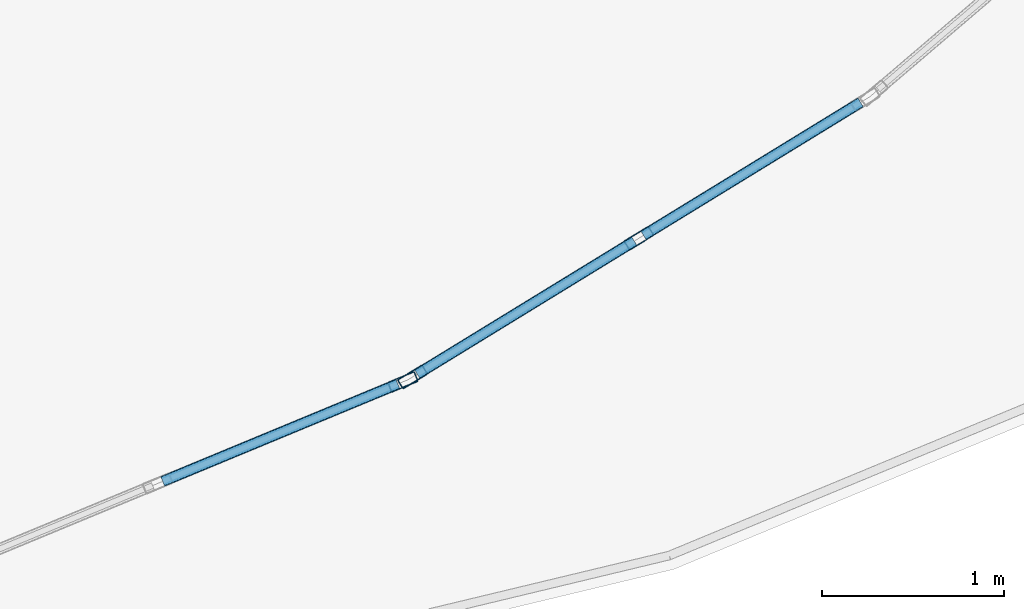
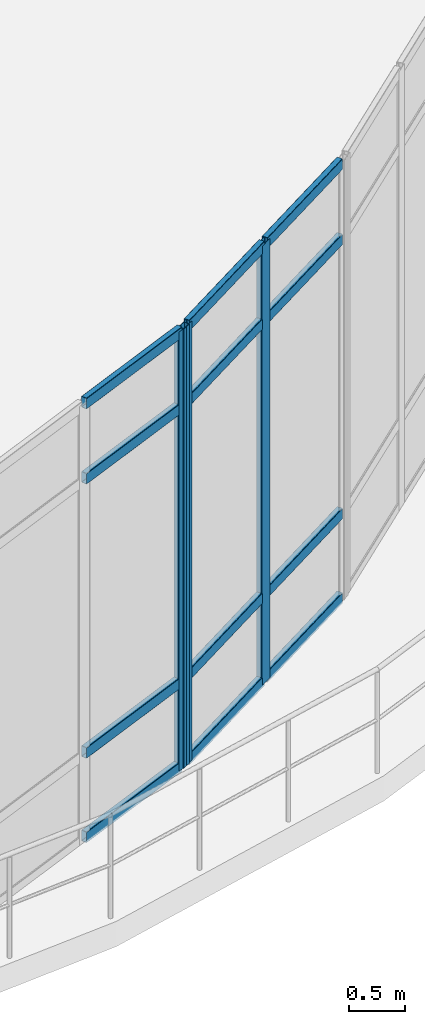
# One storey, part 60 of 120: 15 members, 2 elements without a shape of their own.
"""IFC4 building model written with IfcOpenShell, lengths in metres."""

from ifc_helpers import new_model, si_unit, derived_unit, direction, frame, origin, origin_2d, place, context, subcontext, project, spatial, hollow_rectangle, extrude, material, layer, layer_set, material_profile, profile_set, type_object, element, aggregate, save


model = new_model("IFC4")

# Units and contexts
model_context = context("Model", 3, precision=1e-05, world=origin(), true_north=direction((0.0, 1.0)))
body_context = subcontext(model_context, "Body", "Model", "MODEL_VIEW")
ifc_project = project(units=[si_unit("LENGTHUNIT", "METRE"), si_unit("AREAUNIT", "SQUARE_METRE"), si_unit("VOLUMEUNIT", "CUBIC_METRE"), si_unit("PLANEANGLEUNIT", "RADIAN"), si_unit("MASSUNIT", "GRAM", prefix="KILO"), derived_unit("THERMALTRANSMITTANCEUNIT", [(si_unit("MASSUNIT", "GRAM", prefix="KILO"), 1), (si_unit("TIMEUNIT", "SECOND"), -3), (si_unit("THERMODYNAMICTEMPERATUREUNIT", "KELVIN"), -1)])], contexts=[model_context])

# Site, building, storey
site_placement = place(None, origin())
site = spatial("IfcSite", under=ifc_project, at=site_placement, CompositionType="ELEMENT")
building_placement = place(site_placement, origin())
building = spatial("IfcBuilding", under=site, at=building_placement, Name="Qinzheling Arcade Emporium", CompositionType="ELEMENT")
storey_placement = place(building_placement, frame((0.0, 0.0, 11.39990234375)))
storey = spatial("IfcBuildingStorey", under=building, at=storey_placement, Name="L03", CompositionType="ELEMENT", Elevation=11.39990234375)

# Curtain wall, members
ifc_material_1 = material(Name="Anodised aluminium and solar-control double glazing", Category="aluminium")
ifc_layer = layer(ifc_material_1, 0.159912109375, Name="Anodised aluminium and solar-control double glazing", Category="aluminium")
ifc_layer_set = layer_set([ifc_layer], Name="Anodised aluminium and solar-control double glazing")
curtain_wall_type = type_object("IfcCurtainWallType", Name="Curved Ribbon Sales Curtain Wall", PredefinedType="NOTDEFINED", material=ifc_layer_set)
curtain_wall_1_placement = place(storey_placement, origin())
curtain_wall_1 = element("IfcCurtainWall", 1, at=curtain_wall_1_placement, inside=storey, type_object=curtain_wall_type, Name="Curtain Wall CW-L03-134", PredefinedType="NOTDEFINED")
ifc_material_2 = material(Name="Anodised aluminium 6063-T6", Category="aluminium")
ifc_material_profile_1 = material_profile(ifc_material_2, hollow_rectangle(XDim=0.06005859375, YDim=0.159912109375, WallThickness=0.00390625, InnerFilletRadius=0.00390625, OuterFilletRadius=0.008056640625, at=origin_2d()), Name="RHS 160x60x4", Category="aluminium")
ifc_profile_set_1 = profile_set([ifc_material_profile_1], Name="Anodised aluminium 6063-T6")
member_type_1 = type_object("IfcMemberType", Name="Curtain Wall Mullion RHS160x60", PredefinedType="MULLION", material=ifc_profile_set_1)
member_1_placement = place(storey_placement, frame((159.297119140625, 2.85009765625, 0.0), z_axis=(0.0, 0.0, 1.0), x_axis=(0.522562057926, -0.852601252413, 0.0)))
member_1 = element("IfcMember", 2, at=member_1_placement, type_object=member_type_1, Name="CW02 mullion 2", PredefinedType="MULLION", context=body_context, shape_type="SweptSolid", body=[
    extrude(hollow_rectangle(XDim=0.06005859375, YDim=0.159912109375, WallThickness=0.00390625, InnerFilletRadius=0.00390625, OuterFilletRadius=0.008056640625, at=origin_2d()), origin(), (0.0, 0.0, 1.0), 4.7900390625),
])
member_2_placement = place(storey_placement, frame((158.051513671875, 2.086669921875, 0.0), z_axis=(0.0, 0.0, 1.0), x_axis=(0.522562057926, -0.852601252413, 0.0)))
member_2 = element("IfcMember", 3, at=member_2_placement, type_object=member_type_1, Name="CW02 mullion 3", PredefinedType="MULLION", context=body_context, shape_type="SweptSolid", body=[
    extrude(hollow_rectangle(XDim=0.06005859375, YDim=0.159912109375, WallThickness=0.00390625, InnerFilletRadius=0.00390625, OuterFilletRadius=0.008056640625, at=origin_2d()), origin(), (0.0, 0.0, 1.0), 4.7900390625),
])

# Curtain wall, member
curtain_wall_2_placement = place(storey_placement, origin())
curtain_wall_2 = element("IfcCurtainWall", 4, at=curtain_wall_2_placement, inside=storey, type_object=curtain_wall_type, Name="Curtain Wall CW-L03-135", PredefinedType="NOTDEFINED")
member_3_placement = place(storey_placement, frame((157.998291015625, 2.0595703125, 0.0), z_axis=(0.0, 0.0, 1.0), x_axis=(0.382638101391, -0.923898307913, 0.0)))
member_3 = element("IfcMember", 5, at=member_3_placement, type_object=member_type_1, Name="CW02 mullion 1", PredefinedType="MULLION", context=body_context, shape_type="SweptSolid", body=[
    extrude(hollow_rectangle(XDim=0.06005859375, YDim=0.159912109375, WallThickness=0.00390625, InnerFilletRadius=0.00390625, OuterFilletRadius=0.008056640625, at=origin_2d()), origin(), (0.0, 0.0, 1.0), 4.7900390625),
])

# Member
ifc_material_profile_2 = material_profile(ifc_material_2, hollow_rectangle(XDim=0.06005859375, YDim=0.1201171875, WallThickness=0.00390625, InnerFilletRadius=0.00390625, OuterFilletRadius=0.008056640625, at=origin_2d()), Name="RHS 120x60x4", Category="aluminium")
ifc_profile_set_2 = profile_set([ifc_material_profile_2], Name="Anodised aluminium 6063-T6")
member_type_2 = type_object("IfcMemberType", Name="Curtain Wall Transom RHS120x60", PredefinedType="USERDEFINED", material=ifc_profile_set_2)
member_4_placement = place(storey_placement, frame((160.516845703125, 3.59765625, 0.030029296875), z_axis=(-0.852626300664, -0.522521187529, 0.0), x_axis=(0.522521187529, -0.852626300664, 0.0)))
member_4 = element("IfcMember", 6, at=member_4_placement, type_object=member_type_2, Name="CW02 transom 1.1", ObjectType="TRANSOM", PredefinedType="USERDEFINED", context=body_context, shape_type="SweptSolid", body=[
    extrude(hollow_rectangle(XDim=0.06005859375, YDim=0.1201171875, WallThickness=0.00390625, InnerFilletRadius=0.00390625, OuterFilletRadius=0.008056640625, at=origin_2d()), origin(), (0.0, 0.0, 1.0), 1.40087890625),
])

member_5_placement = place(storey_placement, frame((160.516845703125, 3.59765625, 0.9501953125), z_axis=(-0.852626300664, -0.522521187529, 0.0), x_axis=(0.522521187529, -0.852626300664, 0.0)))
member_5 = element("IfcMember", 7, at=member_5_placement, type_object=member_type_2, Name="CW02 transom 1.2", ObjectType="TRANSOM", PredefinedType="USERDEFINED", context=body_context, shape_type="SweptSolid", body=[
    extrude(hollow_rectangle(XDim=0.06005859375, YDim=0.1201171875, WallThickness=0.00390625, InnerFilletRadius=0.00390625, OuterFilletRadius=0.008056640625, at=origin_2d()), origin(), (0.0, 0.0, 1.0), 1.40087890625),
])

member_6_placement = place(storey_placement, frame((160.516845703125, 3.59765625, 3.940185546875), z_axis=(-0.852626300664, -0.522521187529, 0.0), x_axis=(0.522521187529, -0.852626300664, 0.0)))
member_6 = element("IfcMember", 8, at=member_6_placement, type_object=member_type_2, Name="CW02 transom 1.3", ObjectType="TRANSOM", PredefinedType="USERDEFINED", context=body_context, shape_type="SweptSolid", body=[
    extrude(hollow_rectangle(XDim=0.06005859375, YDim=0.1201171875, WallThickness=0.00390625, InnerFilletRadius=0.00390625, OuterFilletRadius=0.008056640625, at=origin_2d()), origin(), (0.0, 0.0, 1.0), 1.40087890625),
])

member_7_placement = place(storey_placement, frame((160.516845703125, 3.59765625, 4.760009765625), z_axis=(-0.852626300664, -0.522521187529, 0.0), x_axis=(0.522521187529, -0.852626300664, 0.0)))
member_7 = element("IfcMember", 9, at=member_7_placement, type_object=member_type_2, Name="CW02 transom 1.4", ObjectType="TRANSOM", PredefinedType="USERDEFINED", context=body_context, shape_type="SweptSolid", body=[
    extrude(hollow_rectangle(XDim=0.06005859375, YDim=0.1201171875, WallThickness=0.00390625, InnerFilletRadius=0.00390625, OuterFilletRadius=0.008056640625, at=origin_2d()), origin(), (0.0, 0.0, 1.0), 1.40087890625),
])

member_8_placement = place(storey_placement, frame((159.271484375, 2.834228515625, 0.030029296875), z_axis=(-0.852626300664, -0.522521187529, 0.0), x_axis=(0.522521187529, -0.852626300664, 0.0)))
member_8 = element("IfcMember", 10, at=member_8_placement, type_object=member_type_2, Name="CW02 transom 2.1", ObjectType="TRANSOM", PredefinedType="USERDEFINED", context=body_context, shape_type="SweptSolid", body=[
    extrude(hollow_rectangle(XDim=0.06005859375, YDim=0.1201171875, WallThickness=0.00390625, InnerFilletRadius=0.00390625, OuterFilletRadius=0.008056640625, at=origin_2d()), origin(), (0.0, 0.0, 1.0), 1.40087890625),
])

member_9_placement = place(storey_placement, frame((159.271484375, 2.834228515625, 0.9501953125), z_axis=(-0.852626300664, -0.522521187529, 0.0), x_axis=(0.522521187529, -0.852626300664, 0.0)))
member_9 = element("IfcMember", 11, at=member_9_placement, type_object=member_type_2, Name="CW02 transom 2.2", ObjectType="TRANSOM", PredefinedType="USERDEFINED", context=body_context, shape_type="SweptSolid", body=[
    extrude(hollow_rectangle(XDim=0.06005859375, YDim=0.1201171875, WallThickness=0.00390625, InnerFilletRadius=0.00390625, OuterFilletRadius=0.008056640625, at=origin_2d()), origin(), (0.0, 0.0, 1.0), 1.40087890625),
])

member_10_placement = place(storey_placement, frame((159.271484375, 2.834228515625, 3.940185546875), z_axis=(-0.852626300664, -0.522521187529, 0.0), x_axis=(0.522521187529, -0.852626300664, 0.0)))
member_10 = element("IfcMember", 12, at=member_10_placement, type_object=member_type_2, Name="CW02 transom 2.3", ObjectType="TRANSOM", PredefinedType="USERDEFINED", context=body_context, shape_type="SweptSolid", body=[
    extrude(hollow_rectangle(XDim=0.06005859375, YDim=0.1201171875, WallThickness=0.00390625, InnerFilletRadius=0.00390625, OuterFilletRadius=0.008056640625, at=origin_2d()), origin(), (0.0, 0.0, 1.0), 1.40087890625),
])

member_11_placement = place(storey_placement, frame((159.271484375, 2.834228515625, 4.760009765625), z_axis=(-0.852626300664, -0.522521187529, 0.0), x_axis=(0.522521187529, -0.852626300664, 0.0)))
member_11 = element("IfcMember", 13, at=member_11_placement, type_object=member_type_2, Name="CW02 transom 2.4", ObjectType="TRANSOM", PredefinedType="USERDEFINED", context=body_context, shape_type="SweptSolid", body=[
    extrude(hollow_rectangle(XDim=0.06005859375, YDim=0.1201171875, WallThickness=0.00390625, InnerFilletRadius=0.00390625, OuterFilletRadius=0.008056640625, at=origin_2d()), origin(), (0.0, 0.0, 1.0), 1.40087890625),
])

aggregate(curtain_wall_1, [member_1, member_2, member_4, member_5, member_6, member_7, member_8, member_9, member_10, member_11])

member_12_placement = place(storey_placement, frame((157.970458984375, 2.048095703125, 0.030029296875), z_axis=(-0.923863886655, -0.382721202621, 0.0), x_axis=(0.382721202621, -0.923863886655, 0.0)))
member_12 = element("IfcMember", 14, at=member_12_placement, type_object=member_type_2, Name="CW02 transom 1.1", ObjectType="TRANSOM", PredefinedType="USERDEFINED", context=body_context, shape_type="SweptSolid", body=[
    extrude(hollow_rectangle(XDim=0.06005859375, YDim=0.1201171875, WallThickness=0.00390625, InnerFilletRadius=0.00390625, OuterFilletRadius=0.008056640625, at=origin_2d()), origin(), (0.0, 0.0, 1.0), 1.40087890625),
])

member_13_placement = place(storey_placement, frame((157.970458984375, 2.048095703125, 0.9501953125), z_axis=(-0.923863886655, -0.382721202621, 0.0), x_axis=(0.382721202621, -0.923863886655, 0.0)))
member_13 = element("IfcMember", 15, at=member_13_placement, type_object=member_type_2, Name="CW02 transom 1.2", ObjectType="TRANSOM", PredefinedType="USERDEFINED", context=body_context, shape_type="SweptSolid", body=[
    extrude(hollow_rectangle(XDim=0.06005859375, YDim=0.1201171875, WallThickness=0.00390625, InnerFilletRadius=0.00390625, OuterFilletRadius=0.008056640625, at=origin_2d()), origin(), (0.0, 0.0, 1.0), 1.40087890625),
])

member_14_placement = place(storey_placement, frame((157.970458984375, 2.048095703125, 3.940185546875), z_axis=(-0.923863886655, -0.382721202621, 0.0), x_axis=(0.382721202621, -0.923863886655, 0.0)))
member_14 = element("IfcMember", 16, at=member_14_placement, type_object=member_type_2, Name="CW02 transom 1.3", ObjectType="TRANSOM", PredefinedType="USERDEFINED", context=body_context, shape_type="SweptSolid", body=[
    extrude(hollow_rectangle(XDim=0.06005859375, YDim=0.1201171875, WallThickness=0.00390625, InnerFilletRadius=0.00390625, OuterFilletRadius=0.008056640625, at=origin_2d()), origin(), (0.0, 0.0, 1.0), 1.40087890625),
])

member_15_placement = place(storey_placement, frame((157.970458984375, 2.048095703125, 4.760009765625), z_axis=(-0.923863886655, -0.382721202621, 0.0), x_axis=(0.382721202621, -0.923863886655, 0.0)))
member_15 = element("IfcMember", 17, at=member_15_placement, type_object=member_type_2, Name="CW02 transom 1.4", ObjectType="TRANSOM", PredefinedType="USERDEFINED", context=body_context, shape_type="SweptSolid", body=[
    extrude(hollow_rectangle(XDim=0.06005859375, YDim=0.1201171875, WallThickness=0.00390625, InnerFilletRadius=0.00390625, OuterFilletRadius=0.008056640625, at=origin_2d()), origin(), (0.0, 0.0, 1.0), 1.40087890625),
])

aggregate(curtain_wall_2, [member_3, member_12, member_13, member_14, member_15])

save(model, "model.ifc")
